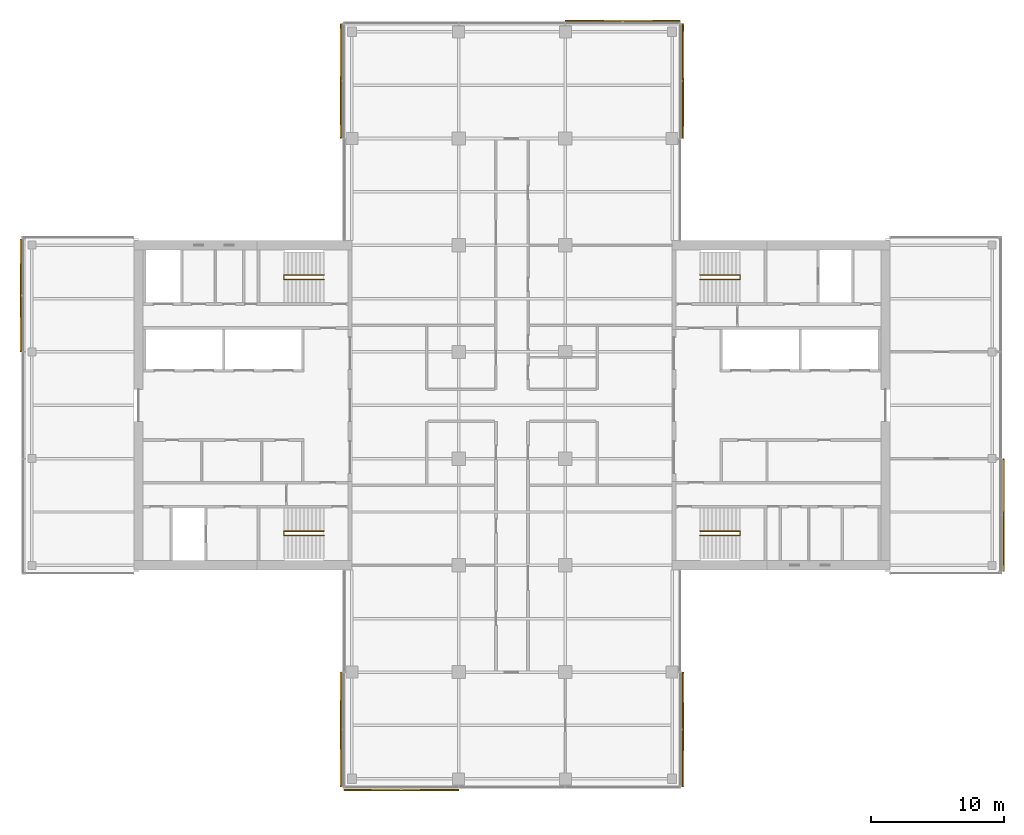
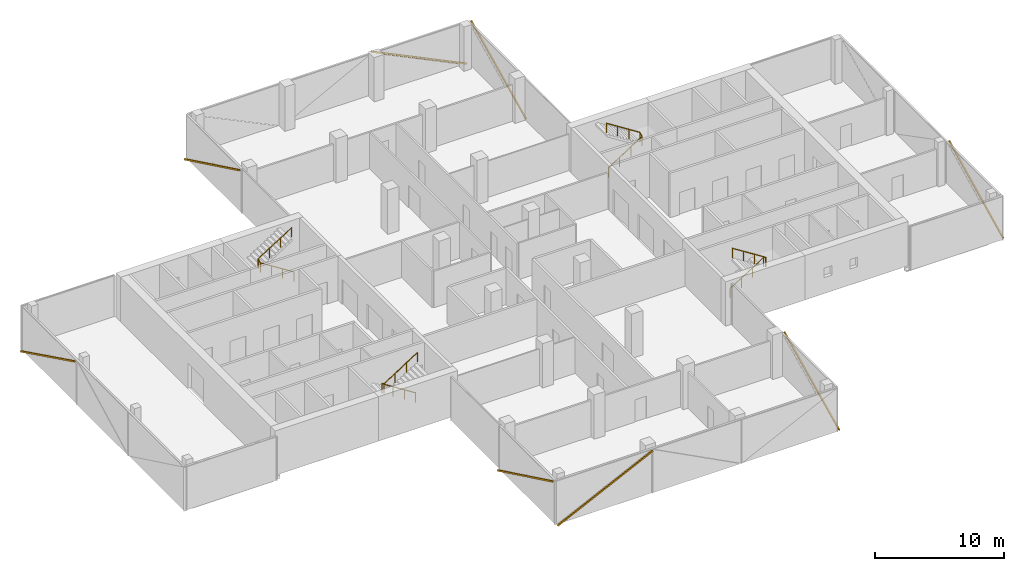
# One storey, part 22 of 22: 8 shading devices, 4 railings, 8 elements without a shape of their own.
"""IFC4 building model written with IfcOpenShell, lengths in metres."""

import ifcopenshell
import ifcopenshell.guid

model = None  # the IFC model being written
_history = None  # IfcOwnerHistory: only IFC2X3 demands one
_inside = {}  # id of a spatial element -> (the spatial element, [elements in it])
_under = {}  # id of a project, library or spatial element -> (it, [spatial elements below it])
_declared = {}  # id of a project -> (the project, [libraries it declares])
_typed = {}  # id of a type object -> (the type object, [elements of that type])
_made_of = {}  # id of a material, layer set ... -> (it, [elements and type objects made of it])


def new_model(schema):
    """Start an empty IFC model of exactly this schema.

    Asked for "IFC4X3", IfcOpenShell would pick the latest addendum, in which some entities
    have other attributes; the version numbers below select the first issue.
    IFC2X3 requires an IfcOwnerHistory on every rooted entity: one is made here for all.
    """
    global model, _history
    if schema == "IFC4X3":
        model = ifcopenshell.file(schema_version=(4, 3, 0, 0))
    else:
        model = ifcopenshell.file(schema=schema)
    _inside.clear()
    _under.clear()
    _declared.clear()
    _typed.clear()
    _made_of.clear()
    _history = None
    if model.schema == "IFC2X3":
        org = make("IfcOrganization", Name="unknown")
        user = make(
            "IfcPersonAndOrganization",
            ThePerson=make("IfcPerson", FamilyName="unknown"),
            TheOrganization=org,
        )
        app = make(
            "IfcApplication",
            ApplicationDeveloper=org,
            Version="unknown",
            ApplicationFullName="unknown",
            ApplicationIdentifier="unknown",
        )
        _history = make(
            "IfcOwnerHistory",
            OwningUser=user,
            OwningApplication=app,
            ChangeAction="ADDED",
            CreationDate=0,
        )
    return model


def make(cls, **values):
    """One entity of the class cls with the attributes given. An attribute that is None is left unset."""
    return model.create_entity(
        cls, **{name: value for name, value in values.items() if value is not None}
    )


def rooted(cls, **values):
    """An entity with a GlobalId (a new one), such as an element, a storey or a relation."""
    return make(cls, GlobalId=ifcopenshell.guid.new(), OwnerHistory=_history, **values)


def si_unit(unit_type, name, prefix=None):
    """IfcSIUnit, for example si_unit("LENGTHUNIT", "METRE", prefix="MILLI")."""
    return make("IfcSIUnit", UnitType=unit_type, Prefix=prefix, Name=name)


def assignment(units):
    """IfcUnitAssignment: the units of a project."""
    return None if units is None else make("IfcUnitAssignment", Units=units)


def point(xyz):
    """IfcCartesianPoint."""
    return None if xyz is None else make("IfcCartesianPoint", Coordinates=xyz)


def direction(xyz):
    """IfcDirection."""
    return None if xyz is None else make("IfcDirection", DirectionRatios=xyz)


def frame(location, z_axis=None, x_axis=None):
    """IfcAxis2Placement3D, a coordinate frame: its origin and axes. An axis left out is left unset."""
    return make(
        "IfcAxis2Placement3D",
        Location=point(location),
        Axis=direction(z_axis),
        RefDirection=direction(x_axis),
    )


def frame_2d(location, x_axis=None):
    """IfcAxis2Placement2D, a coordinate frame in the plane: its origin and x axis."""
    return make(
        "IfcAxis2Placement2D", Location=point(location), RefDirection=direction(x_axis)
    )


def origin():
    """The frame at (0, 0, 0) with its axes left unset."""
    return frame((0.0, 0.0, 0.0))


def origin_2d():
    """The frame at (0, 0) in the plane with its x axis left unset."""
    return frame_2d((0.0, 0.0))


def place(relative_to, where):
    """IfcLocalPlacement: puts the frame where relative to a parent placement (None: the world)."""
    return make(
        "IfcLocalPlacement", PlacementRelTo=relative_to, RelativePlacement=where
    )


def context(
    kind, dimensions, precision=None, world=None, true_north=None, identifier=None
):
    """IfcGeometricRepresentationContext, for example the 3D "Model" context."""
    return make(
        "IfcGeometricRepresentationContext",
        ContextIdentifier=identifier,
        ContextType=kind,
        CoordinateSpaceDimension=dimensions,
        Precision=precision,
        WorldCoordinateSystem=world,
        TrueNorth=true_north,
    )


def subcontext(parent, identifier, kind, view, scale=None):
    """IfcGeometricRepresentationSubContext, for example "Body" below "Model"."""
    return make(
        "IfcGeometricRepresentationSubContext",
        ContextIdentifier=identifier,
        ContextType=kind,
        ParentContext=parent,
        TargetScale=scale,
        TargetView=view,
    )


def project(units=None, contexts=None):
    """IfcProject with its units and contexts."""
    return rooted(
        "IfcProject",
        Name="project",
        RepresentationContexts=contexts,
        UnitsInContext=assignment(units),
    )


def spatial(cls, under=None, at=None, **own):
    """A site, building, storey or space (cls), placed at a placement, below another one or the project."""
    s = rooted(cls, ObjectPlacement=at, **own)
    if under is not None:
        _under.setdefault(under.id(), (under, []))[1].append(s)
    return s


def profile(cls, at=None, kind="AREA", **sizes):
    """A parametric profile (cls). Its sizes go by their IFC names, for example OverallWidth=200.0."""
    return make(cls, ProfileType=kind, Position=at, **sizes)


def rectangle(**sizes):
    """IfcRectangleProfileDef."""
    return profile("IfcRectangleProfileDef", **sizes)


def circle(**sizes):
    """IfcCircleProfileDef."""
    return profile("IfcCircleProfileDef", **sizes)


def extrude(swept, where, along, depth):
    """IfcExtrudedAreaSolid: the profile swept, set in the frame where, extruded along a direction by depth."""
    return make(
        "IfcExtrudedAreaSolid",
        SweptArea=swept,
        Position=where,
        ExtrudedDirection=direction(along),
        Depth=depth,
    )


def shape(context_of_items, identifier, shape_type, items):
    """IfcShapeRepresentation: the items that make up one representation, for example the "Body"."""
    return make(
        "IfcShapeRepresentation",
        ContextOfItems=context_of_items,
        RepresentationIdentifier=identifier,
        RepresentationType=shape_type,
        Items=items,
    )


def material(Name=None, Category=None):
    """IfcMaterial."""
    return make("IfcMaterial", Name=Name, Category=Category)


def material_profile(
    of_material, cross_section, Name=None, Category=None, Priority=None
):
    """IfcMaterialProfile: a cross section and its material."""
    return make(
        "IfcMaterialProfile",
        Name=Name,
        Material=of_material,
        Profile=cross_section,
        Priority=Priority,
        Category=Category,
    )


def profile_set(profiles, Name=None, composite=None):
    """IfcMaterialProfileSet."""
    return make(
        "IfcMaterialProfileSet",
        Name=Name,
        MaterialProfiles=profiles,
        CompositeProfile=composite,
    )


def made_of(thing, what):
    """Note that an element or type object is made of a material, layer set ...; save() writes the relation."""
    if what is not None:
        _made_of.setdefault(what.id(), (what, []))[1].append(thing)
    return thing


def type_object(cls, material=None, **own):
    """A type object (cls), such as IfcWallType, which elements share."""
    return made_of(rooted(cls, **own), material)


def element(
    cls,
    number,
    at=None,
    inside=None,
    cuts=None,
    type_object=None,
    material=None,
    context=None,
    identifier="Body",
    shape_type=None,
    held_by="IfcProductDefinitionShape",
    body=None,
    shapes=None,
    **own,
):
    """One element of the class cls, such as IfcWall. Its Tag is "e" and its number.

    at: its placement. inside: the storey or other place that contains it. cuts: it is an
    opening in that element (IfcRelVoidsElement). A single representation is given by context,
    identifier, shape_type and body (its items); several are given by shapes. held_by: the class
    of the entity that holds the representations. save() writes the other relations.
    """
    e = rooted(cls, Tag="e%d" % number, ObjectPlacement=at, **own)
    if body is not None:
        shapes = [shape(context, identifier, shape_type, body)]
    if shapes is not None:
        e.Representation = make(held_by, Representations=shapes)
    if inside is not None:
        _inside.setdefault(inside.id(), (inside, []))[1].append(e)
    if cuts is not None:
        rooted(
            "IfcRelVoidsElement", RelatingBuildingElement=cuts, RelatedOpeningElement=e
        )
    if type_object is not None:
        _typed.setdefault(type_object.id(), (type_object, []))[1].append(e)
    return made_of(e, material)


def aggregate(whole, parts):
    """IfcRelAggregates: a whole, such as a stair, and the parts it consists of."""
    return rooted("IfcRelAggregates", RelatingObject=whole, RelatedObjects=parts)


def save(model, path):
    """Write the relations noted so far, then the file.

    IfcRelAggregates (storeys below a building ...), IfcRelContainedInSpatialStructure (elements
    in a storey), IfcRelDefinesByType, IfcRelAssociatesMaterial and IfcRelDeclares: one each for
    every whole, place, type object, material and project.
    """
    for whole, parts in _under.values():
        aggregate(whole, parts)
    for where, things in _inside.values():
        rooted(
            "IfcRelContainedInSpatialStructure",
            RelatedElements=things,
            RelatingStructure=where,
        )
    for kind, things in _typed.values():
        rooted("IfcRelDefinesByType", RelatedObjects=things, RelatingType=kind)
    for what, things in _made_of.values():
        rooted("IfcRelAssociatesMaterial", RelatedObjects=things, RelatingMaterial=what)
    for by, libraries in _declared.values():
        rooted("IfcRelDeclares", RelatingContext=by, RelatedDefinitions=libraries)
    model.write(path)


model = new_model("IFC4")

# Units and contexts
model_context = context("Model", 3, precision=1e-05, world=origin(), true_north=direction((0.0, 1.0)))
body_context = subcontext(model_context, "Body", "Model", "MODEL_VIEW")
ifc_project = project(units=[si_unit("LENGTHUNIT", "METRE"), si_unit("AREAUNIT", "SQUARE_METRE"), si_unit("VOLUMEUNIT", "CUBIC_METRE"), si_unit("PLANEANGLEUNIT", "RADIAN"), si_unit("MASSUNIT", "GRAM", prefix="KILO")], contexts=[model_context])

# Site, building, storey
site_placement = place(None, origin())
site = spatial("IfcSite", under=ifc_project, at=site_placement, CompositionType="ELEMENT")
building_placement = place(site_placement, origin())
building = spatial("IfcBuilding", under=site, at=building_placement, Name="Crosswind Convention Tower", CompositionType="ELEMENT")
storey_placement = place(building_placement, frame((0.0, 0.0, 146.300048828125)))
storey = spatial("IfcBuildingStorey", under=building, at=storey_placement, Name="L30", CompositionType="ELEMENT", Elevation=146.300048828125)

# Railings
ifc_material_1 = material(Name="Stainless steel", Category="steel")
railing_type = type_object("IfcRailingType", Name="Stair handrail 900", PredefinedType="HANDRAIL", material=ifc_material_1)
railing_1_placement = place(storey_placement, frame((139.10009765625, 109.43994140625, 0.19091796875)))
element("IfcRailing", 1, at=railing_1_placement, inside=storey, type_object=railing_type, Name="Stair ST1 handrail L30", PredefinedType="HANDRAIL", context=body_context, shape_type="SweptSolid", body=[
    extrude(circle(Radius=0.02392578125, at=origin_2d()), frame((0.0, 0.0, 0.8759765625), z_axis=(0.843681277094, 0.0, 0.536844393359), x_axis=(0.0, 1.0, 0.0)), (0.0, 0.0, 1.0), 3.555908203125),
    extrude(circle(Radius=0.02392578125, at=origin_2d()), frame((3.0, 0.0, 2.78466796875), z_axis=(0.0, 0.858819504967, 0.512278301208), x_axis=(-1.0, 0.0, 0.0)), (0.0, 0.0, 1.0), 0.372802734375),
    extrude(circle(Radius=0.02392578125, at=origin_2d()), frame((3.0, 0.320068359375, 2.9755859375), z_axis=(-0.843650179428, 0.0, 0.536893261973), x_axis=(0.0, -1.0, 0.0)), (0.0, 0.0, 1.0), 3.555908203125),
    extrude(circle(Radius=0.02099609375, at=origin_2d()), origin(), (0.0, 0.0, 1.0), 0.851806640625),
    extrude(circle(Radius=0.02099609375, at=origin_2d()), frame((1.0, 0.0, 0.63623046875)), (0.0, 0.0, 1.0), 0.851806640625),
    extrude(circle(Radius=0.02099609375, at=origin_2d()), frame((2.0, 0.0, 1.272705078125)), (0.0, 0.0, 1.0), 0.851806640625),
    extrude(circle(Radius=0.02099609375, at=origin_2d()), frame((3.0, 0.0, 1.908935546875)), (0.0, 0.0, 1.0), 0.851806640625),
    extrude(circle(Radius=0.02099609375, at=origin_2d()), frame((3.0, 0.320068359375, 2.099853515625)), (0.0, 0.0, 1.0), 0.851806640625),
    extrude(circle(Radius=0.02099609375, at=origin_2d()), frame((2.0, 0.320068359375, 2.736328125)), (0.0, 0.0, 1.0), 0.851806640625),
    extrude(circle(Radius=0.02099609375, at=origin_2d()), frame((1.0, 0.320068359375, 3.37255859375)), (0.0, 0.0, 1.0), 0.851806640625),
    extrude(circle(Radius=0.02099609375, at=origin_2d()), frame((0.0, 0.320068359375, 4.009033203125)), (0.0, 0.0, 1.0), 0.851806640625),
])
railing_2_placement = place(storey_placement, frame((139.10009765625, 90.56005859375, 0.19091796875)))
element("IfcRailing", 2, at=railing_2_placement, inside=storey, type_object=railing_type, Name="Stair ST2 handrail L30", PredefinedType="HANDRAIL", context=body_context, shape_type="SweptSolid", body=[
    extrude(circle(Radius=0.02392578125, at=origin_2d()), frame((0.0, 0.0, 0.8759765625), z_axis=(0.843681277094, 0.0, 0.536844393359), x_axis=(0.0, 1.0, 0.0)), (0.0, 0.0, 1.0), 3.555908203125),
    extrude(circle(Radius=0.02392578125, at=origin_2d()), frame((3.0, 0.0, 2.78466796875), z_axis=(0.0, -0.858819504967, 0.512278301208), x_axis=(1.0, 0.0, 0.0)), (0.0, 0.0, 1.0), 0.372802734375),
    extrude(circle(Radius=0.02392578125, at=origin_2d()), frame((3.0, -0.320068359375, 2.9755859375), z_axis=(-0.843650179428, 0.0, 0.536893261973), x_axis=(0.0, -1.0, 0.0)), (0.0, 0.0, 1.0), 3.555908203125),
    extrude(circle(Radius=0.02099609375, at=origin_2d()), origin(), (0.0, 0.0, 1.0), 0.851806640625),
    extrude(circle(Radius=0.02099609375, at=origin_2d()), frame((1.0, 0.0, 0.63623046875)), (0.0, 0.0, 1.0), 0.851806640625),
    extrude(circle(Radius=0.02099609375, at=origin_2d()), frame((2.0, 0.0, 1.272705078125)), (0.0, 0.0, 1.0), 0.851806640625),
    extrude(circle(Radius=0.02099609375, at=origin_2d()), frame((3.0, 0.0, 1.908935546875)), (0.0, 0.0, 1.0), 0.851806640625),
    extrude(circle(Radius=0.02099609375, at=origin_2d()), frame((3.0, -0.320068359375, 2.099853515625)), (0.0, 0.0, 1.0), 0.851806640625),
    extrude(circle(Radius=0.02099609375, at=origin_2d()), frame((2.0, -0.320068359375, 2.736328125)), (0.0, 0.0, 1.0), 0.851806640625),
    extrude(circle(Radius=0.02099609375, at=origin_2d()), frame((1.0, -0.320068359375, 3.37255859375)), (0.0, 0.0, 1.0), 0.851806640625),
    extrude(circle(Radius=0.02099609375, at=origin_2d()), frame((0.0, -0.320068359375, 4.009033203125)), (0.0, 0.0, 1.0), 0.851806640625),
])
railing_3_placement = place(storey_placement, frame((110.89990234375, 90.56005859375, 0.19091796875)))
element("IfcRailing", 3, at=railing_3_placement, inside=storey, type_object=railing_type, Name="Stair ST3 handrail L30", PredefinedType="HANDRAIL", context=body_context, shape_type="SweptSolid", body=[
    extrude(circle(Radius=0.02392578125, at=origin_2d()), frame((0.0, 0.0, 0.8759765625), z_axis=(-0.843681277094, 0.0, 0.536844393359), x_axis=(0.0, -1.0, 0.0)), (0.0, 0.0, 1.0), 3.555908203125),
    extrude(circle(Radius=0.02392578125, at=origin_2d()), frame((-3.0, 0.0, 2.78466796875), z_axis=(0.0, -0.858819504967, 0.512278301208), x_axis=(1.0, 0.0, 0.0)), (0.0, 0.0, 1.0), 0.372802734375),
    extrude(circle(Radius=0.02392578125, at=origin_2d()), frame((-3.0, -0.320068359375, 2.9755859375), z_axis=(0.843650179428, 0.0, 0.536893261973), x_axis=(0.0, 1.0, 0.0)), (0.0, 0.0, 1.0), 3.555908203125),
    extrude(circle(Radius=0.02099609375, at=origin_2d()), origin(), (0.0, 0.0, 1.0), 0.851806640625),
    extrude(circle(Radius=0.02099609375, at=origin_2d()), frame((-1.0, 0.0, 0.63623046875)), (0.0, 0.0, 1.0), 0.851806640625),
    extrude(circle(Radius=0.02099609375, at=origin_2d()), frame((-2.0, 0.0, 1.272705078125)), (0.0, 0.0, 1.0), 0.851806640625),
    extrude(circle(Radius=0.02099609375, at=origin_2d()), frame((-3.0, 0.0, 1.908935546875)), (0.0, 0.0, 1.0), 0.851806640625),
    extrude(circle(Radius=0.02099609375, at=origin_2d()), frame((-3.0, -0.320068359375, 2.099853515625)), (0.0, 0.0, 1.0), 0.851806640625),
    extrude(circle(Radius=0.02099609375, at=origin_2d()), frame((-2.0, -0.320068359375, 2.736328125)), (0.0, 0.0, 1.0), 0.851806640625),
    extrude(circle(Radius=0.02099609375, at=origin_2d()), frame((-1.0, -0.320068359375, 3.37255859375)), (0.0, 0.0, 1.0), 0.851806640625),
    extrude(circle(Radius=0.02099609375, at=origin_2d()), frame((0.0, -0.320068359375, 4.009033203125)), (0.0, 0.0, 1.0), 0.851806640625),
])
railing_4_placement = place(storey_placement, frame((110.89990234375, 109.43994140625, 0.19091796875)))
element("IfcRailing", 4, at=railing_4_placement, inside=storey, type_object=railing_type, Name="Stair ST4 handrail L30", PredefinedType="HANDRAIL", context=body_context, shape_type="SweptSolid", body=[
    extrude(circle(Radius=0.02392578125, at=origin_2d()), frame((0.0, 0.0, 0.8759765625), z_axis=(-0.843681277094, 0.0, 0.536844393359), x_axis=(0.0, -1.0, 0.0)), (0.0, 0.0, 1.0), 3.555908203125),
    extrude(circle(Radius=0.02392578125, at=origin_2d()), frame((-3.0, 0.0, 2.78466796875), z_axis=(0.0, 0.858819504967, 0.512278301208), x_axis=(-1.0, 0.0, 0.0)), (0.0, 0.0, 1.0), 0.372802734375),
    extrude(circle(Radius=0.02392578125, at=origin_2d()), frame((-3.0, 0.320068359375, 2.9755859375), z_axis=(0.843650179428, 0.0, 0.536893261973), x_axis=(0.0, 1.0, 0.0)), (0.0, 0.0, 1.0), 3.555908203125),
    extrude(circle(Radius=0.02099609375, at=origin_2d()), origin(), (0.0, 0.0, 1.0), 0.851806640625),
    extrude(circle(Radius=0.02099609375, at=origin_2d()), frame((-1.0, 0.0, 0.63623046875)), (0.0, 0.0, 1.0), 0.851806640625),
    extrude(circle(Radius=0.02099609375, at=origin_2d()), frame((-2.0, 0.0, 1.272705078125)), (0.0, 0.0, 1.0), 0.851806640625),
    extrude(circle(Radius=0.02099609375, at=origin_2d()), frame((-3.0, 0.0, 1.908935546875)), (0.0, 0.0, 1.0), 0.851806640625),
    extrude(circle(Radius=0.02099609375, at=origin_2d()), frame((-3.0, 0.320068359375, 2.099853515625)), (0.0, 0.0, 1.0), 0.851806640625),
    extrude(circle(Radius=0.02099609375, at=origin_2d()), frame((-2.0, 0.320068359375, 2.736328125)), (0.0, 0.0, 1.0), 0.851806640625),
    extrude(circle(Radius=0.02099609375, at=origin_2d()), frame((-1.0, 0.320068359375, 3.37255859375)), (0.0, 0.0, 1.0), 0.851806640625),
    extrude(circle(Radius=0.02099609375, at=origin_2d()), frame((0.0, 0.320068359375, 4.009033203125)), (0.0, 0.0, 1.0), 0.851806640625),
])

# Curtain wall, shading device
ifc_material_2 = material(Name="Aluminium unitised curtain wall", Category="aluminium")
curtain_wall_type = type_object("IfcCurtainWallType", Name="OFFICE UNITISED WALL 220", PredefinedType="USERDEFINED", material=ifc_material_2)
curtain_wall_1_placement = place(storey_placement, origin())
curtain_wall_1 = element("IfcCurtainWall", 5, at=curtain_wall_1_placement, inside=storey, type_object=curtain_wall_type, Name="CW3 L30 E-TIP 1", ObjectType="UNITISED", PredefinedType="USERDEFINED")
ifc_material_3 = material(Name="Extruded terracotta", Category="masonry")
ifc_material_profile = material_profile(ifc_material_3, rectangle(XDim=0.110107421875, YDim=0.1298828125, at=origin_2d()), Name="TC 110X130")
ifc_profile_set = profile_set([ifc_material_profile], Name="Extruded terracotta")
shading_device_type = type_object("IfcShadingDeviceType", Name="TERRACOTTA BAGUETTE 130X110", PredefinedType="USERDEFINED", material=ifc_profile_set)
shading_device_1_placement = place(storey_placement, frame((161.8310546875, 87.570068359375, -0.300048828125), z_axis=(0.0, 0.897299814718, 0.44142161536), x_axis=(-1.0, 0.0, 0.0)))
shading_device_1 = element("IfcShadingDevice", 6, at=shading_device_1_placement, type_object=shading_device_type, Name="CW3 terracotta baguette 1", ObjectType="BAGUETTE", PredefinedType="USERDEFINED", context=body_context, shape_type="SweptSolid", body=[
    extrude(rectangle(XDim=0.110107421875, YDim=0.1298828125, at=origin_2d()), origin(), (0.0, 0.0, 1.0), 9.35595703125),
])
aggregate(curtain_wall_1, [shading_device_1])

curtain_wall_2_placement = place(storey_placement, origin())
curtain_wall_2 = element("IfcCurtainWall", 7, at=curtain_wall_2_placement, inside=storey, type_object=curtain_wall_type, Name="CW3 L30 N-E 1", ObjectType="UNITISED", PredefinedType="USERDEFINED")
shading_device_2_placement = place(storey_placement, frame((137.8310546875, 120.034912109375, -0.300048828125), z_axis=(0.0, 0.900258180835, 0.435356414723), x_axis=(-1.0, 0.0, 0.0)))
shading_device_2 = element("IfcShadingDevice", 8, at=shading_device_2_placement, type_object=shading_device_type, Name="CW3 terracotta baguette 1", ObjectType="BAGUETTE", PredefinedType="USERDEFINED", context=body_context, shape_type="SweptSolid", body=[
    extrude(rectangle(XDim=0.110107421875, YDim=0.1298828125, at=origin_2d()), origin(), (0.0, 0.0, 1.0), 9.486328125),
])
aggregate(curtain_wall_2, [shading_device_2])

curtain_wall_3_placement = place(storey_placement, origin())
curtain_wall_3 = element("IfcCurtainWall", 9, at=curtain_wall_3_placement, inside=storey, type_object=curtain_wall_type, Name="CW3 L30 N-TIP 1", ObjectType="UNITISED", PredefinedType="USERDEFINED")
shading_device_3_placement = place(storey_placement, frame((137.574951171875, 128.8310546875, -0.300048828125), z_axis=(-0.900258180835, 0.0, 0.435356414723), x_axis=(0.0, -1.0, 0.0)))
shading_device_3 = element("IfcShadingDevice", 10, at=shading_device_3_placement, type_object=shading_device_type, Name="CW3 terracotta baguette 1", ObjectType="BAGUETTE", PredefinedType="USERDEFINED", context=body_context, shape_type="SweptSolid", body=[
    extrude(rectangle(XDim=0.110107421875, YDim=0.1298828125, at=origin_2d()), origin(), (0.0, 0.0, 1.0), 9.486328125),
])
aggregate(curtain_wall_3, [shading_device_3])

curtain_wall_4_placement = place(storey_placement, origin())
curtain_wall_4 = element("IfcCurtainWall", 11, at=curtain_wall_4_placement, inside=storey, type_object=curtain_wall_type, Name="CW3 L30 N-W 1", ObjectType="UNITISED", PredefinedType="USERDEFINED")
shading_device_4_placement = place(storey_placement, frame((112.1689453125, 128.574951171875, -0.300048828125), z_axis=(0.0, -0.900258180835, 0.435356414723), x_axis=(1.0, 0.0, 0.0)))
shading_device_4 = element("IfcShadingDevice", 12, at=shading_device_4_placement, type_object=shading_device_type, Name="CW3 terracotta baguette 1", ObjectType="BAGUETTE", PredefinedType="USERDEFINED", context=body_context, shape_type="SweptSolid", body=[
    extrude(rectangle(XDim=0.110107421875, YDim=0.1298828125, at=origin_2d()), origin(), (0.0, 0.0, 1.0), 9.486328125),
])
aggregate(curtain_wall_4, [shading_device_4])

curtain_wall_5_placement = place(storey_placement, origin())
curtain_wall_5 = element("IfcCurtainWall", 13, at=curtain_wall_5_placement, inside=storey, type_object=curtain_wall_type, Name="CW3 L30 W-TIP 1", ObjectType="UNITISED", PredefinedType="USERDEFINED")
shading_device_5_placement = place(storey_placement, frame((88.1689453125, 112.429931640625, -0.300048828125), z_axis=(0.0, -0.897299814718, 0.44142161536), x_axis=(1.0, 0.0, 0.0)))
shading_device_5 = element("IfcShadingDevice", 14, at=shading_device_5_placement, type_object=shading_device_type, Name="CW3 terracotta baguette 1", ObjectType="BAGUETTE", PredefinedType="USERDEFINED", context=body_context, shape_type="SweptSolid", body=[
    extrude(rectangle(XDim=0.110107421875, YDim=0.1298828125, at=origin_2d()), origin(), (0.0, 0.0, 1.0), 9.35595703125),
])
aggregate(curtain_wall_5, [shading_device_5])

curtain_wall_6_placement = place(storey_placement, origin())
curtain_wall_6 = element("IfcCurtainWall", 15, at=curtain_wall_6_placement, inside=storey, type_object=curtain_wall_type, Name="CW3 L30 S-W 1", ObjectType="UNITISED", PredefinedType="USERDEFINED")
shading_device_6_placement = place(storey_placement, frame((112.1689453125, 79.965087890625, -0.300048828125), z_axis=(0.0, -0.900258180835, 0.435356414723), x_axis=(1.0, 0.0, 0.0)))
shading_device_6 = element("IfcShadingDevice", 16, at=shading_device_6_placement, type_object=shading_device_type, Name="CW3 terracotta baguette 1", ObjectType="BAGUETTE", PredefinedType="USERDEFINED", context=body_context, shape_type="SweptSolid", body=[
    extrude(rectangle(XDim=0.110107421875, YDim=0.1298828125, at=origin_2d()), origin(), (0.0, 0.0, 1.0), 9.486328125),
])
aggregate(curtain_wall_6, [shading_device_6])

curtain_wall_7_placement = place(storey_placement, origin())
curtain_wall_7 = element("IfcCurtainWall", 17, at=curtain_wall_7_placement, inside=storey, type_object=curtain_wall_type, Name="CW3 L30 S-TIP 1", ObjectType="UNITISED", PredefinedType="USERDEFINED")
shading_device_7_placement = place(storey_placement, frame((112.425048828125, 71.1689453125, -0.300048828125), z_axis=(0.900258180835, 0.0, 0.435356414723), x_axis=(0.0, 1.0, 0.0)))
shading_device_7 = element("IfcShadingDevice", 18, at=shading_device_7_placement, type_object=shading_device_type, Name="CW3 terracotta baguette 1", ObjectType="BAGUETTE", PredefinedType="USERDEFINED", context=body_context, shape_type="SweptSolid", body=[
    extrude(rectangle(XDim=0.110107421875, YDim=0.1298828125, at=origin_2d()), origin(), (0.0, 0.0, 1.0), 9.486328125),
])
aggregate(curtain_wall_7, [shading_device_7])

curtain_wall_8_placement = place(storey_placement, origin())
curtain_wall_8 = element("IfcCurtainWall", 19, at=curtain_wall_8_placement, inside=storey, type_object=curtain_wall_type, Name="CW3 L30 S-E 1", ObjectType="UNITISED", PredefinedType="USERDEFINED")
shading_device_8_placement = place(storey_placement, frame((137.8310546875, 71.425048828125, -0.300048828125), z_axis=(0.0, 0.900258180835, 0.435356414723), x_axis=(-1.0, 0.0, 0.0)))
shading_device_8 = element("IfcShadingDevice", 20, at=shading_device_8_placement, type_object=shading_device_type, Name="CW3 terracotta baguette 1", ObjectType="BAGUETTE", PredefinedType="USERDEFINED", context=body_context, shape_type="SweptSolid", body=[
    extrude(rectangle(XDim=0.110107421875, YDim=0.1298828125, at=origin_2d()), origin(), (0.0, 0.0, 1.0), 9.486328125),
])
aggregate(curtain_wall_8, [shading_device_8])

save(model, "model.ifc")
